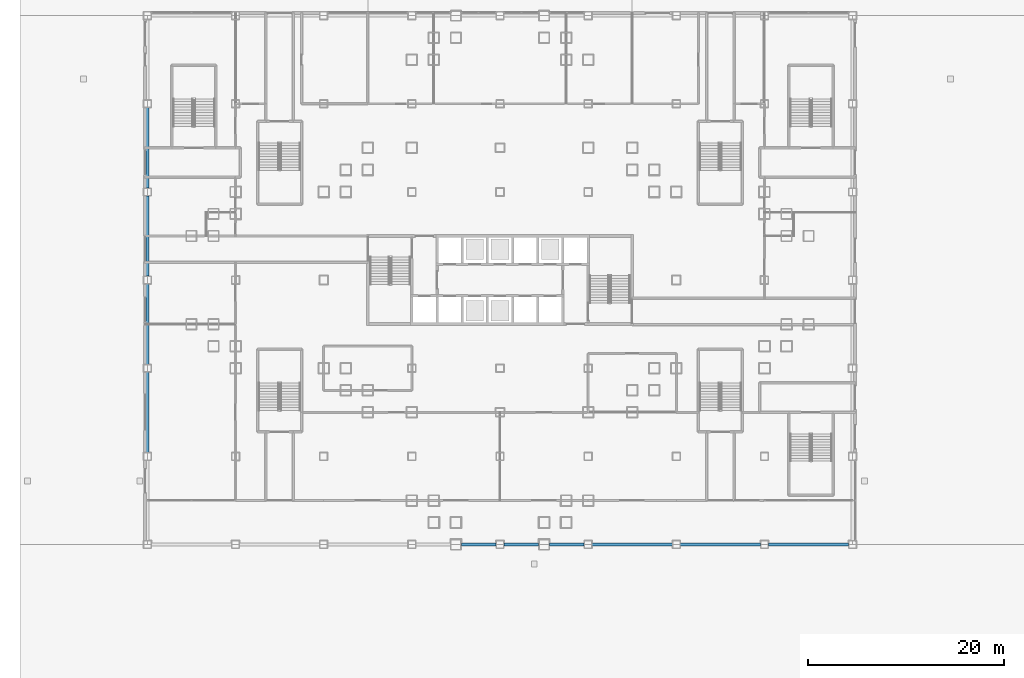
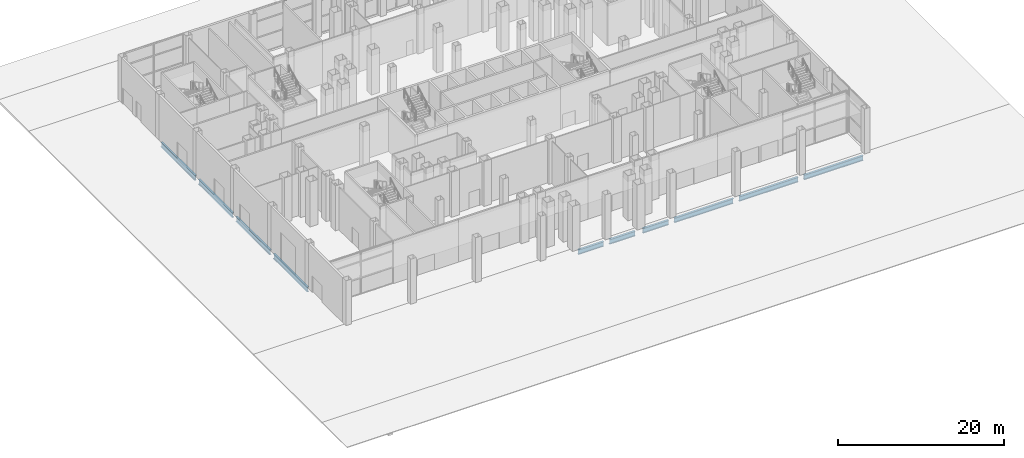
# One storey, part 5 of 38: 10 beams.
"""IFC4 building model written with IfcOpenShell, lengths in metres."""

from ifc_helpers import new_model, si_unit, direction, frame, origin, origin_2d, place, context, subcontext, project, spatial, i_section, extrude, material, material_profile, profile_set, type_object, element, save


model = new_model("IFC4")

# Units and contexts
model_context = context("Model", 3, precision=1e-05, world=origin(), true_north=direction((0.0, 1.0)))
body_context = subcontext(model_context, "Body", "Model", "MODEL_VIEW")
ifc_project = project(units=[si_unit("LENGTHUNIT", "METRE"), si_unit("AREAUNIT", "SQUARE_METRE"), si_unit("VOLUMEUNIT", "CUBIC_METRE"), si_unit("PLANEANGLEUNIT", "RADIAN"), si_unit("MASSUNIT", "GRAM", prefix="KILO")], contexts=[model_context])

# Site, building, storey
site_placement = place(None, origin())
site = spatial("IfcSite", under=ifc_project, at=site_placement, CompositionType="ELEMENT")
building_placement = place(site_placement, origin())
building = spatial("IfcBuilding", under=site, at=building_placement, Name="Caravel Reach Hotel and Residences", CompositionType="ELEMENT")
storey_placement = place(building_placement, origin())
storey = spatial("IfcBuildingStorey", under=building, at=storey_placement, Name="L00", CompositionType="ELEMENT", Elevation=0.0)

# Beams
ifc_material = material(Name="Structural steel Q355B", Category="steel")
ifc_material_profile = material_profile(ifc_material, i_section(OverallWidth=0.300048828125, OverallDepth=0.699951171875, WebThickness=0.012939453125, FlangeThickness=0.02392578125, FilletRadius=0.01806640625, at=origin_2d()), Name="HN 700x300x13x24")
ifc_profile_set = profile_set([ifc_material_profile], Name="Structural steel Q355B")
beam_type = type_object("IfcBeamType", Name="Spandrel beam HN 700x300x13x24", PredefinedType="SPANDREL", material=ifc_profile_set)
for number, where, z_axis, x_axis, name in (
    (1, (27.550048828125, 0.0, -0.75), (1.0, 0.0, 0.0), (0.0, 1.0, 0.0), "SP2 HN 700x300x13x24"),
    (2, (31.89990234375, 0.0, -0.75), (1.0, 0.0, 0.0), (0.0, 1.0, 0.0), "SP2 HN 700x300x13x24"),
    (3, (36.550048828125, 0.0, -0.75), (1.0, 0.0, 0.0), (0.0, 1.0, 0.0), "SP2 HN 700x300x13x24"),
):
    element("IfcBeam", number, at=place(storey_placement, frame(where, z_axis=z_axis, x_axis=x_axis)), inside=storey, type_object=beam_type, Name=name, PredefinedType="SPANDREL", context=body_context, shape_type="SweptSolid", body=[
        extrude(i_section(OverallWidth=0.300048828125, OverallDepth=0.699951171875, WebThickness=0.012939453125, FlangeThickness=0.02392578125, FilletRadius=0.01806640625, at=origin_2d()), origin(), (0.0, 0.0, 1.0), 3.550048828125),
    ])
for number, where, z_axis, x_axis, name in (
    (4, (40.89990234375, 0.0, -0.75), (1.0, 0.0, 0.0), (0.0, 1.0, 0.0), "SP2 HN 700x300x13x24"),
    (5, (49.89990234375, 0.0, -0.75), (1.0, 0.0, 0.0), (0.0, 1.0, 0.0), "SP2 HN 700x300x13x24"),
    (6, (58.89990234375, 0.0, -0.75), (1.0, 0.0, 0.0), (0.0, 1.0, 0.0), "SP2 HN 700x300x13x24"),
    (7, (-4.5, 44.60009765625, -0.75), (0.0, -1.0, 0.0), (1.0, 0.0, 0.0), "SP2 HN 700x300x13x24"),
    (8, (-4.5, 35.60009765625, -0.75), (0.0, -1.0, 0.0), (1.0, 0.0, 0.0), "SP2 HN 700x300x13x24"),
    (9, (-4.5, 26.60009765625, -0.75), (0.0, -1.0, 0.0), (1.0, 0.0, 0.0), "SP2 HN 700x300x13x24"),
    (10, (-4.5, 17.60009765625, -0.75), (0.0, -1.0, 0.0), (1.0, 0.0, 0.0), "SP2 HN 700x300x13x24"),
):
    element("IfcBeam", number, at=place(storey_placement, frame(where, z_axis=z_axis, x_axis=x_axis)), inside=storey, type_object=beam_type, Name=name, PredefinedType="SPANDREL", context=body_context, shape_type="SweptSolid", body=[
        extrude(i_section(OverallWidth=0.300048828125, OverallDepth=0.699951171875, WebThickness=0.012939453125, FlangeThickness=0.02392578125, FilletRadius=0.01806640625, at=origin_2d()), origin(), (0.0, 0.0, 1.0), 8.2001953125),
    ])

save(model, "model.ifc")
